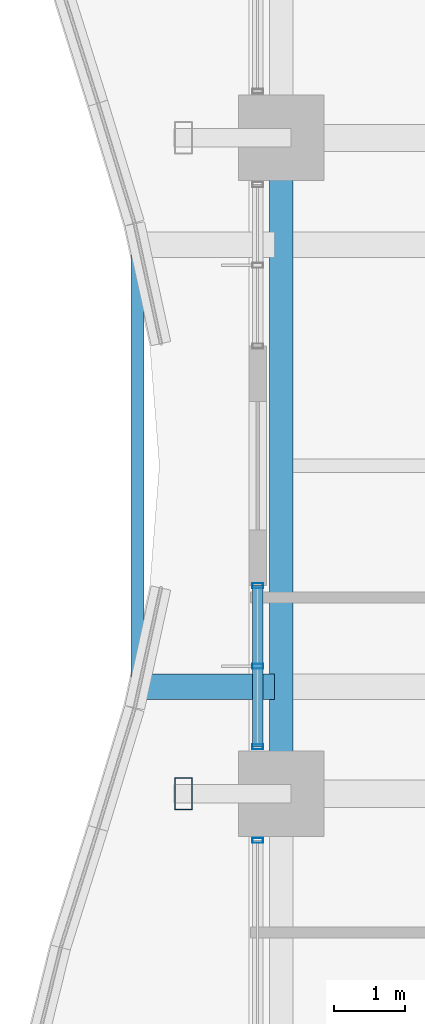
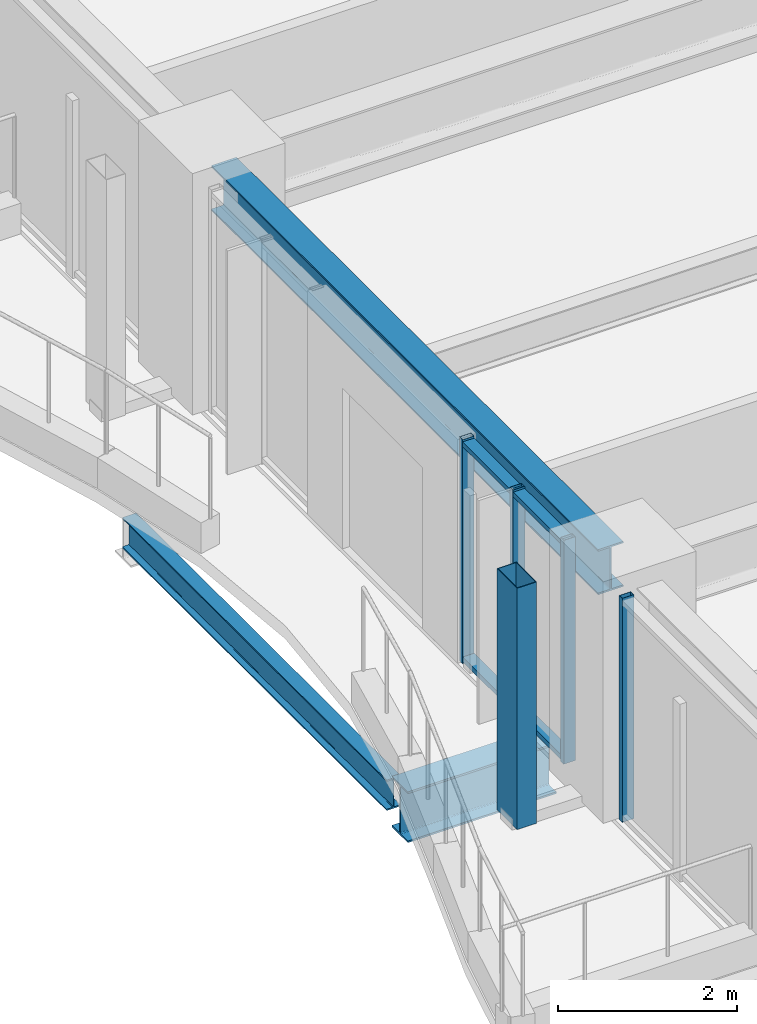
# One storey, part 8 of 36: 7 members, 3 beams, 2 elements without a shape of their own.
"""IFC4 building model written with IfcOpenShell, lengths in metres."""

from ifc_helpers import new_model, si_unit, direction, frame, origin, origin_2d, place, context, subcontext, project, spatial, hollow_rectangle, i_section, extrude, material, material_profile, profile_set, type_object, element, aggregate, save


model = new_model("IFC4")

# Units and contexts
model_context = context("Model", 3, precision=1e-05, world=origin(), true_north=direction((0.0, 1.0)))
body_context = subcontext(model_context, "Body", "Model", "MODEL_VIEW")
ifc_project = project(units=[si_unit("LENGTHUNIT", "METRE"), si_unit("AREAUNIT", "SQUARE_METRE"), si_unit("VOLUMEUNIT", "CUBIC_METRE"), si_unit("PLANEANGLEUNIT", "RADIAN"), si_unit("MASSUNIT", "GRAM", prefix="KILO")], contexts=[model_context])

# Site, building, storey
site_placement = place(None, origin())
site = spatial("IfcSite", under=ifc_project, at=site_placement, CompositionType="ELEMENT")
building_placement = place(site_placement, origin())
building = spatial("IfcBuilding", under=site, at=building_placement, Name="Kolvaren Belvedere", CompositionType="ELEMENT")
storey_placement = place(building_placement, frame((0.0, 0.0, 46.89990234375)))
storey = spatial("IfcBuildingStorey", under=building, at=storey_placement, Name="L13", CompositionType="ELEMENT", Elevation=46.89990234375)

# Beams
ifc_material_1 = material(Name="Structural steel ASTM A992 Grade 50", Category="steel")
ifc_material_profile_1 = material_profile(ifc_material_1, i_section(OverallWidth=0.35498046875, OverallDepth=0.696044921875, WebThickness=0.015380859375, FlangeThickness=0.02490234375, FilletRadius=0.02197265625, at=origin_2d()), Name="W27X146")
ifc_profile_set_1 = profile_set([ifc_material_profile_1], Name="Structural steel ASTM A992 Grade 50")
beam_type_1 = type_object("IfcBeamType", Name="BM-CANT-BAL", PredefinedType="BEAM", material=ifc_profile_set_1)
beam_1_placement = place(storey_placement, frame((-21.64501953125, -3.10009765625, -0.587890625), z_axis=(-1.0, 0.0, 0.0), x_axis=(0.0, -1.0, 0.0)))
element("IfcBeam", 1, at=beam_1_placement, inside=storey, type_object=beam_type_1, Name="L13 Planted Balcony Cantilever BAL-W-1", PredefinedType="BEAM", context=body_context, shape_type="SweptSolid", body=[
    extrude(i_section(OverallWidth=0.35498046875, OverallDepth=0.696044921875, WebThickness=0.015380859375, FlangeThickness=0.02490234375, FilletRadius=0.02197265625, at=origin_2d()), origin(), (0.0, 0.0, 1.0), 1.91943359375),
])
ifc_material_2 = material(Name="Structural steel ASTM A992 Grade 50", Category="steel")
ifc_material_profile_2 = material_profile(ifc_material_2, i_section(OverallWidth=0.180908203125, OverallDepth=0.4169921875, WebThickness=0.010986328125, FlangeThickness=0.018310546875, FilletRadius=0.013916015625, at=origin_2d()), Name="W16X57")
ifc_profile_set_2 = profile_set([ifc_material_profile_2], Name="Structural steel ASTM A992 Grade 50")
beam_type_2 = type_object("IfcBeamType", Name="BM-EDGE-W16X57", PredefinedType="BEAM", material=ifc_profile_set_2)
beam_2_placement = place(storey_placement, frame((-23.564453125, -2.9599609375, -0.448486328125), z_axis=(0.0, 1.0, 0.0), x_axis=(-1.0, 0.0, 0.0)))
element("IfcBeam", 2, at=beam_2_placement, inside=storey, type_object=beam_type_2, Name="L13 Balcony Tip Header Beam BAL-W", PredefinedType="BEAM", context=body_context, shape_type="SweptSolid", body=[
    extrude(i_section(OverallWidth=0.180908203125, OverallDepth=0.4169921875, WebThickness=0.010986328125, FlangeThickness=0.018310546875, FilletRadius=0.013916015625, at=origin_2d()), origin(), (0.0, 0.0, 1.0), 5.919921875),
])
ifc_material_3 = material(Name="Structural steel ASTM A992 Grade 50", Category="steel")
ifc_material_profile_3 = material_profile(ifc_material_3, i_section(OverallWidth=0.324951171875, OverallDepth=0.615966796875, WebThickness=0.013916015625, FlangeThickness=0.021484375, FilletRadius=0.02001953125, at=origin_2d()), Name="W24X117")
ifc_profile_set_3 = profile_set([ifc_material_profile_3], Name="Structural steel ASTM A992 Grade 50")
beam_type_3 = type_object("IfcBeamType", Name="BM-SPAN-W24X117", PredefinedType="SPANDREL", material=ifc_profile_set_3)
beam_3_placement = place(storey_placement, frame((-21.550048828125, 4.330078125, 2.752197265625), z_axis=(0.0, -1.0, 0.0), x_axis=(1.0, 0.0, 0.0)))
element("IfcBeam", 3, at=beam_3_placement, inside=storey, type_object=beam_type_3, Name="L13 Perimeter Spandrel W3-W2", PredefinedType="SPANDREL", context=body_context, shape_type="SweptSolid", body=[
    extrude(i_section(OverallWidth=0.324951171875, OverallDepth=0.615966796875, WebThickness=0.013916015625, FlangeThickness=0.021484375, FilletRadius=0.02001953125, at=origin_2d()), origin(), (0.0, 0.0, 1.0), 8.66015625),
])

# Curtain wall, member
ifc_material_4 = material(Name="Anodised pale-metal aluminium AA 6063-T6", Category="aluminium")
curtain_wall_type = type_object("IfcCurtainWallType", Name="CW-Z1-LOW", PredefinedType="NOTDEFINED", material=ifc_material_4)
curtain_wall_1_placement = place(storey_placement, origin())
curtain_wall_1 = element("IfcCurtainWall", 4, at=curtain_wall_1_placement, inside=storey, type_object=curtain_wall_type, Name="L13 Unitised Curtain Wall FCW-L13-W1-B1", PredefinedType="NOTDEFINED")
ifc_material_5 = material(Name="Anodised pale-metal aluminium AA 6063-T6", Category="aluminium")
ifc_material_profile_4 = material_profile(ifc_material_5, hollow_rectangle(XDim=0.070068359375, YDim=0.14990234375, WallThickness=0.004150390625, at=origin_2d()), Name="ALU-MUL-150X70")
ifc_profile_set_4 = profile_set([ifc_material_profile_4], Name="Anodised pale-metal aluminium AA 6063-T6")
member_type_1 = type_object("IfcMemberType", Name="CW-MUL-150", PredefinedType="MULLION", material=ifc_profile_set_4)
member_1_placement = place(storey_placement, frame((-21.8798828125, -5.2548828125, 0.0), z_axis=(0.0, 0.0, 1.0), x_axis=(0.0, 1.0, 0.0)))
member_1 = element("IfcMember", 5, at=member_1_placement, type_object=member_type_1, Name="FCW-L13-W1-B1 Unitised Mullion 3", PredefinedType="MULLION", context=body_context, shape_type="SweptSolid", body=[
    extrude(hollow_rectangle(XDim=0.070068359375, YDim=0.14990234375, WallThickness=0.004150390625, at=origin_2d()), origin(), (0.0, 0.0, 1.0), 3.06005859375),
])
aggregate(curtain_wall_1, [member_1])

# Curtain wall, members
curtain_wall_2_placement = place(storey_placement, origin())
curtain_wall_2 = element("IfcCurtainWall", 6, at=curtain_wall_2_placement, inside=storey, type_object=curtain_wall_type, Name="L13 Unitised Curtain Wall FCW-L13-W1-B2", PredefinedType="NOTDEFINED")
member_2_placement = place(storey_placement, frame((-21.8798828125, -3.945068359375, 0.0), z_axis=(0.0, 0.0, 1.0), x_axis=(0.0, 1.0, 0.0)))
member_2 = element("IfcMember", 7, at=member_2_placement, type_object=member_type_1, Name="FCW-L13-W1-B2 Unitised Mullion 1", PredefinedType="MULLION", context=body_context, shape_type="SweptSolid", body=[
    extrude(hollow_rectangle(XDim=0.070068359375, YDim=0.14990234375, WallThickness=0.004150390625, at=origin_2d()), origin(), (0.0, 0.0, 1.0), 3.06005859375),
])
member_3_placement = place(storey_placement, frame((-21.8798828125, -2.8125, 0.0), z_axis=(0.0, 0.0, 1.0), x_axis=(0.0, 1.0, 0.0)))
member_3 = element("IfcMember", 8, at=member_3_placement, type_object=member_type_1, Name="FCW-L13-W1-B2 Unitised Mullion 2", PredefinedType="MULLION", context=body_context, shape_type="SweptSolid", body=[
    extrude(hollow_rectangle(XDim=0.070068359375, YDim=0.14990234375, WallThickness=0.004150390625, at=origin_2d()), origin(), (0.0, 0.0, 1.0), 3.06005859375),
])
member_4_placement = place(storey_placement, frame((-21.8798828125, -1.679931640625, 0.0), z_axis=(0.0, 0.0, 1.0), x_axis=(0.0, 1.0, 0.0)))
member_4 = element("IfcMember", 9, at=member_4_placement, type_object=member_type_1, Name="FCW-L13-W1-B2 Unitised Mullion 3", PredefinedType="MULLION", context=body_context, shape_type="SweptSolid", body=[
    extrude(hollow_rectangle(XDim=0.070068359375, YDim=0.14990234375, WallThickness=0.004150390625, at=origin_2d()), origin(), (0.0, 0.0, 1.0), 3.06005859375),
])
ifc_material_6 = material(Name="Anodised pale-metal aluminium AA 6063-T6", Category="aluminium")
ifc_material_profile_5 = material_profile(ifc_material_6, hollow_rectangle(XDim=0.06494140625, YDim=0.14990234375, WallThickness=0.00390625, at=origin_2d()), Name="ALU-TRN-150X65")
ifc_profile_set_5 = profile_set([ifc_material_profile_5], Name="Anodised pale-metal aluminium AA 6063-T6")
member_type_2 = type_object("IfcMemberType", Name="CW-TRN-150", PredefinedType="USERDEFINED", material=ifc_profile_set_5)
member_5_placement = place(storey_placement, frame((-21.8798828125, -3.945068359375, 0.06005859375), z_axis=(0.0, 1.0, 0.0), x_axis=(0.0, 0.0, 1.0)))
member_5 = element("IfcMember", 10, at=member_5_placement, type_object=member_type_2, Name="FCW-L13-W1-B2 Sill Transom", ObjectType="TRANSOM", PredefinedType="USERDEFINED", context=body_context, shape_type="SweptSolid", body=[
    extrude(hollow_rectangle(XDim=0.06494140625, YDim=0.14990234375, WallThickness=0.00390625, at=origin_2d()), origin(), (0.0, 0.0, 1.0), 2.26513671875),
])
member_6_placement = place(storey_placement, frame((-21.8798828125, -3.945068359375, 3.0), z_axis=(0.0, 1.0, 0.0), x_axis=(0.0, 0.0, 1.0)))
member_6 = element("IfcMember", 11, at=member_6_placement, type_object=member_type_2, Name="FCW-L13-W1-B2 Head Transom", ObjectType="TRANSOM", PredefinedType="USERDEFINED", context=body_context, shape_type="SweptSolid", body=[
    extrude(hollow_rectangle(XDim=0.06494140625, YDim=0.14990234375, WallThickness=0.00390625, at=origin_2d()), origin(), (0.0, 0.0, 1.0), 2.26513671875),
])
aggregate(curtain_wall_2, [member_2, member_3, member_4, member_5, member_6])

# Member
ifc_material_7 = material(Name="Anodised pale-metal aluminium AA 6063-T6", Category="aluminium")
ifc_material_profile_6 = material_profile(ifc_material_7, hollow_rectangle(XDim=0.25, YDim=0.449951171875, WallThickness=0.008544921875, at=origin_2d()), Name="ALU-PF-450X250")
ifc_profile_set_6 = profile_set([ifc_material_profile_6], Name="Anodised pale-metal aluminium AA 6063-T6")
member_type_3 = type_object("IfcMemberType", Name="PF-FRAME-450", PredefinedType="USERDEFINED", material=ifc_profile_set_6)
member_7_placement = place(storey_placement, frame((-22.919921875, -4.60009765625, 0.0), z_axis=(0.0, 0.0, 1.0), x_axis=(1.0, 0.0, 0.0)))
element("IfcMember", 12, at=member_7_placement, inside=storey, type_object=member_type_3, Name="L13 Outboard Picture-Frame Vertical W1", ObjectType="PICTURE FRAME FIN", PredefinedType="USERDEFINED", context=body_context, shape_type="SweptSolid", body=[
    extrude(hollow_rectangle(XDim=0.25, YDim=0.449951171875, WallThickness=0.008544921875, at=origin_2d()), origin(), (0.0, 0.0, 1.0), 3.300048828125),
])

save(model, "model.ifc")
